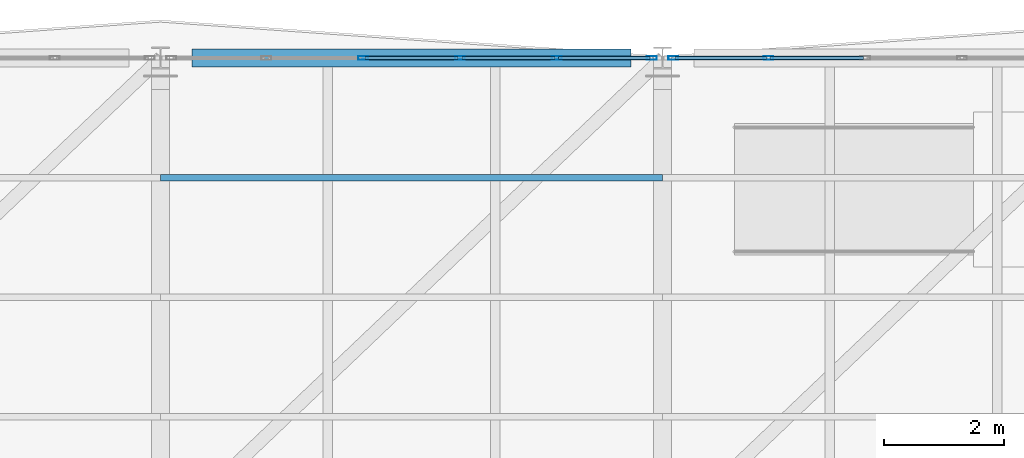
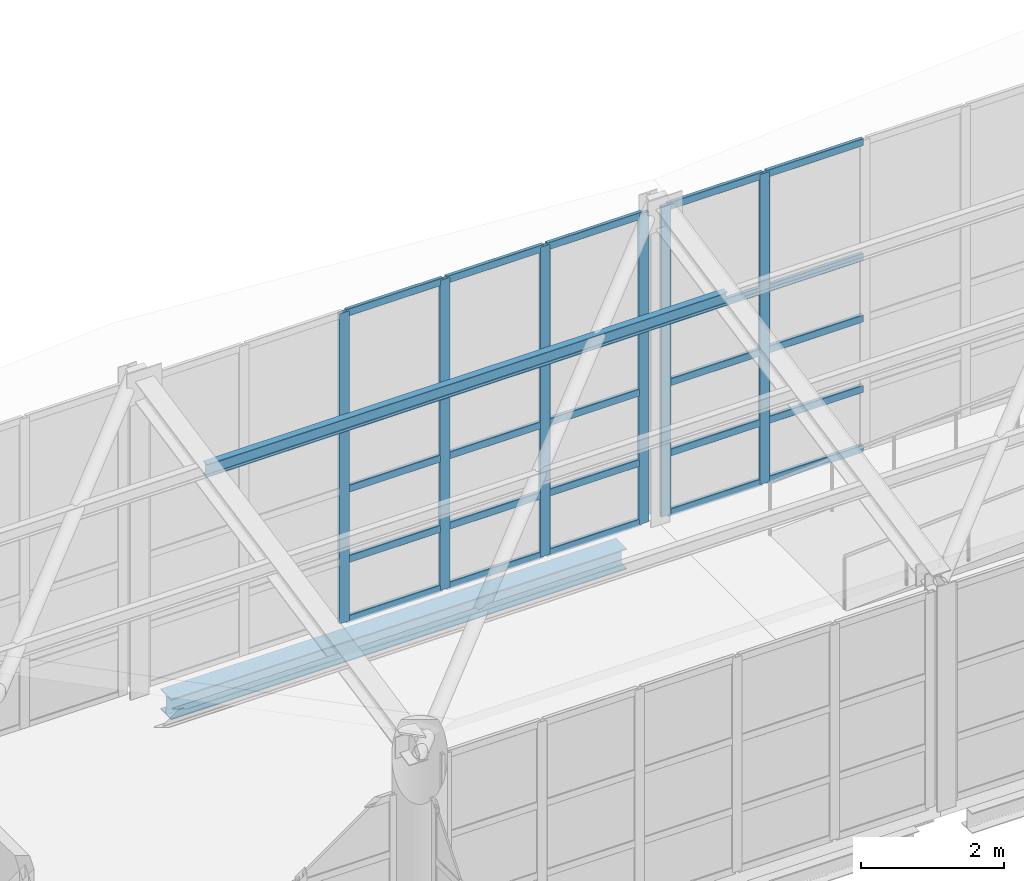
# One storey, part 108 of 177: 32 members, 1 beam, 2 elements without a shape of their own.
"""IFC4 building model written with IfcOpenShell, lengths in metres."""

from ifc_helpers import new_model, si_unit, direction, frame, origin, origin_2d, place, context, subcontext, project, spatial, hollow_rectangle, i_section, extrude, material, layer, layer_set, material_profile, profile_set, type_object, element, aggregate, save


model = new_model("IFC4")

# Units and contexts
model_context = context("Model", 3, precision=1e-05, world=origin(), true_north=direction((0.0, 1.0)))
body_context = subcontext(model_context, "Body", "Model", "MODEL_VIEW")
ifc_project = project(units=[si_unit("LENGTHUNIT", "METRE"), si_unit("AREAUNIT", "SQUARE_METRE"), si_unit("VOLUMEUNIT", "CUBIC_METRE"), si_unit("PLANEANGLEUNIT", "RADIAN"), si_unit("MASSUNIT", "GRAM", prefix="KILO"), si_unit("THERMODYNAMICTEMPERATUREUNIT", "KELVIN"), si_unit("POWERUNIT", "WATT")], contexts=[model_context])

# Site, building, storey
site_placement = place(None, origin())
site = spatial("IfcSite", under=ifc_project, at=site_placement, CompositionType="ELEMENT")
building_placement = place(site_placement, origin())
building = spatial("IfcBuilding", under=site, at=building_placement, Name="Mavoryth Pier Ferry Terminal", CompositionType="ELEMENT")
storey_placement = place(building_placement, frame((0.0, 0.0, 5.43994140625)))
storey = spatial("IfcBuildingStorey", under=building, at=storey_placement, Name="L01", CompositionType="ELEMENT", Elevation=5.43994140625)

# Curtain wall, members
ifc_material_1 = material(Name="Anodised Aluminium and Solar-Control Low-E Glass", Category="aluminium")
ifc_layer = layer(ifc_material_1, 0.139892578125, Name="Anodised Aluminium and Solar-Control Low-E Glass", Category="aluminium")
ifc_layer_set = layer_set([ifc_layer], Name="Anodised Aluminium and Solar-Control Low-E Glass - CW-Gallery-Mod1600")
curtain_wall_type = type_object("IfcCurtainWallType", Name="CW-Gallery-Mod1600", PredefinedType="USERDEFINED", material=ifc_layer_set)
curtain_wall_1_placement = place(storey_placement, origin())
curtain_wall_1 = element("IfcCurtainWall", 1, at=curtain_wall_1_placement, inside=storey, type_object=curtain_wall_type, Name="Curtain Wall CW-0122-082", ObjectType="UNITISED CURTAIN WALL", PredefinedType="USERDEFINED")
ifc_material_2 = material(Name="Anodised Aluminium EN AW-6063", Category="aluminium")
ifc_material_profile_1 = material_profile(ifc_material_2, hollow_rectangle(XDim=0.06005859375, YDim=0.1650390625, WallThickness=0.00390625, InnerFilletRadius=0.00390625, OuterFilletRadius=0.008056640625, at=origin_2d()), Name="AL-MULL 165x60x4", Category="aluminium")
ifc_profile_set_1 = profile_set([ifc_material_profile_1], Name="Anodised Aluminium EN AW-6063 - AL-MULL 165x60x4")
member_type_1 = type_object("IfcMemberType", Name="Mullion-Alum-165x60", PredefinedType="MULLION", material=ifc_profile_set_1)
member_1_placement = place(storey_placement, frame((100.6201171875, 114.0, 0.0), z_axis=(0.0, 0.0, 1.0), x_axis=(0.0, -1.0, 0.0)))
member_1 = element("IfcMember", 2, at=member_1_placement, type_object=member_type_1, Name="CW05 mullion 1", PredefinedType="MULLION", context=body_context, shape_type="SweptSolid", body=[
    extrude(hollow_rectangle(XDim=0.06005859375, YDim=0.1650390625, WallThickness=0.00390625, InnerFilletRadius=0.00390625, OuterFilletRadius=0.008056640625, at=origin_2d()), origin(), (0.0, 0.0, 1.0), 5.28759765625),
])
member_2_placement = place(storey_placement, frame((99.030029296875, 114.0, 0.0), z_axis=(0.0, 0.0, 1.0), x_axis=(0.0, -1.0, 0.0)))
member_2 = element("IfcMember", 3, at=member_2_placement, type_object=member_type_1, Name="CW05 mullion 2", PredefinedType="MULLION", context=body_context, shape_type="SweptSolid", body=[
    extrude(hollow_rectangle(XDim=0.06005859375, YDim=0.1650390625, WallThickness=0.00390625, InnerFilletRadius=0.00390625, OuterFilletRadius=0.008056640625, at=origin_2d()), origin(), (0.0, 0.0, 1.0), 5.28759765625),
])
member_3_placement = place(storey_placement, frame((97.409912109375, 114.0, 0.0), z_axis=(0.0, 0.0, 1.0), x_axis=(0.0, -1.0, 0.0)))
member_3 = element("IfcMember", 4, at=member_3_placement, type_object=member_type_1, Name="CW05 mullion 3", PredefinedType="MULLION", context=body_context, shape_type="SweptSolid", body=[
    extrude(hollow_rectangle(XDim=0.06005859375, YDim=0.1650390625, WallThickness=0.00390625, InnerFilletRadius=0.00390625, OuterFilletRadius=0.008056640625, at=origin_2d()), origin(), (0.0, 0.0, 1.0), 5.28759765625),
])
member_4_placement = place(storey_placement, frame((95.7900390625, 114.0, 0.0), z_axis=(0.0, 0.0, 1.0), x_axis=(0.0, -1.0, 0.0)))
member_4 = element("IfcMember", 5, at=member_4_placement, type_object=member_type_1, Name="CW05 mullion 4", PredefinedType="MULLION", context=body_context, shape_type="SweptSolid", body=[
    extrude(hollow_rectangle(XDim=0.06005859375, YDim=0.1650390625, WallThickness=0.00390625, InnerFilletRadius=0.00390625, OuterFilletRadius=0.008056640625, at=origin_2d()), origin(), (0.0, 0.0, 1.0), 5.28759765625),
])

curtain_wall_2_placement = place(storey_placement, origin())
curtain_wall_2 = element("IfcCurtainWall", 6, at=curtain_wall_2_placement, inside=storey, type_object=curtain_wall_type, Name="Curtain Wall CW-0122-084", ObjectType="UNITISED CURTAIN WALL", PredefinedType="USERDEFINED")
member_5_placement = place(storey_placement, frame((102.570068359375, 114.0, 0.0), z_axis=(0.0, 0.0, 1.0), x_axis=(0.0, -1.0, 0.0)))
member_5 = element("IfcMember", 7, at=member_5_placement, type_object=member_type_1, Name="CW05 mullion 5", PredefinedType="MULLION", context=body_context, shape_type="SweptSolid", body=[
    extrude(hollow_rectangle(XDim=0.06005859375, YDim=0.1650390625, WallThickness=0.00390625, InnerFilletRadius=0.00390625, OuterFilletRadius=0.008056640625, at=origin_2d()), origin(), (0.0, 0.0, 1.0), 5.28759765625),
])
member_6_placement = place(storey_placement, frame((100.97998046875, 114.0, 0.0), z_axis=(0.0, 0.0, 1.0), x_axis=(0.0, -1.0, 0.0)))
member_6 = element("IfcMember", 8, at=member_6_placement, type_object=member_type_1, Name="CW05 mullion 6", PredefinedType="MULLION", context=body_context, shape_type="SweptSolid", body=[
    extrude(hollow_rectangle(XDim=0.06005859375, YDim=0.1650390625, WallThickness=0.00390625, InnerFilletRadius=0.00390625, OuterFilletRadius=0.008056640625, at=origin_2d()), origin(), (0.0, 0.0, 1.0), 5.28759765625),
])

# Member
ifc_material_3 = material(Name="Steel S355J2", Category="steel")
ifc_material_profile_2 = material_profile(ifc_material_3, i_section(OverallWidth=0.110107421875, OverallDepth=0.219970703125, WebThickness=0.005859375, FlangeThickness=0.00927734375, FilletRadius=0.011962890625, at=origin_2d()), Name="IPE 220", Category="steel")
ifc_profile_set_2 = profile_set([ifc_material_profile_2], Name="Steel S355J2 - IPE 220")
member_type_2 = type_object("IfcMemberType", Name="Purlin-Roof-IPE220", PredefinedType="PURLIN", material=ifc_profile_set_2)
member_7_placement = place(storey_placement, frame((92.39990234375, 112.0, 4.991943359375), z_axis=(1.0, 0.0, 0.0), x_axis=(0.0, 1.0, 0.0)))
element("IfcMember", 9, at=member_7_placement, inside=storey, type_object=member_type_2, Name="Steel Member MB-L01-0272", PredefinedType="PURLIN", context=body_context, shape_type="SweptSolid", body=[
    extrude(i_section(OverallWidth=0.110107421875, OverallDepth=0.219970703125, WebThickness=0.005859375, FlangeThickness=0.00927734375, FilletRadius=0.011962890625, at=origin_2d()), origin(), (0.0, 0.0, 1.0), 8.400146484375),
])

# Beam
ifc_material_profile_3 = material_profile(ifc_material_3, i_section(OverallWidth=0.300048828125, OverallDepth=0.35009765625, WebThickness=0.010009765625, FlangeThickness=0.017578125, FilletRadius=0.027099609375, at=origin_2d()), Name="HEA 360", Category="steel")
ifc_profile_set_3 = profile_set([ifc_material_profile_3], Name="Steel S355J2 - HEA 360")
beam_type = type_object("IfcBeamType", Name="Spandrel-Steel-HEA360", PredefinedType="SPANDREL", material=ifc_profile_set_3)
beam_placement = place(storey_placement, frame((92.925048828125, 114.0, -0.4150390625), z_axis=(1.0, 0.0, 0.0), x_axis=(0.0, 1.0, 0.0)))
element("IfcBeam", 10, at=beam_placement, inside=storey, type_object=beam_type, Name="Beam B01-SP03-0271", PredefinedType="SPANDREL", context=body_context, shape_type="SweptSolid", body=[
    extrude(i_section(OverallWidth=0.300048828125, OverallDepth=0.35009765625, WebThickness=0.010009765625, FlangeThickness=0.017578125, FilletRadius=0.027099609375, at=origin_2d()), origin(), (0.0, 0.0, 1.0), 7.349853515625),
])

# Member
ifc_material_profile_4 = material_profile(ifc_material_2, hollow_rectangle(XDim=0.06005859375, YDim=0.125, WallThickness=0.00390625, InnerFilletRadius=0.00390625, OuterFilletRadius=0.008056640625, at=origin_2d()), Name="AL-TRAN 125x60x4", Category="aluminium")
ifc_profile_set_4 = profile_set([ifc_material_profile_4], Name="Anodised Aluminium EN AW-6063 - AL-TRAN 125x60x4")
member_type_3 = type_object("IfcMemberType", Name="Transom-Alum-125x60", PredefinedType="USERDEFINED", material=ifc_profile_set_4)
member_8_placement = place(storey_placement, frame((100.590087890625, 114.0, 0.030029296875), z_axis=(-1.0, 0.0, 0.0), x_axis=(0.0, -1.0, 0.0)))
member_8 = element("IfcMember", 11, at=member_8_placement, type_object=member_type_3, Name="CW05 transom 1.1", ObjectType="TRANSOM", PredefinedType="USERDEFINED", context=body_context, shape_type="SweptSolid", body=[
    extrude(hollow_rectangle(XDim=0.06005859375, YDim=0.125, WallThickness=0.00390625, InnerFilletRadius=0.00390625, OuterFilletRadius=0.008056640625, at=origin_2d()), origin(), (0.0, 0.0, 1.0), 1.530029296875),
])

member_9_placement = place(storey_placement, frame((100.590087890625, 114.0, 1.050048828125), z_axis=(-1.0, 0.0, 0.0), x_axis=(0.0, -1.0, 0.0)))
member_9 = element("IfcMember", 12, at=member_9_placement, type_object=member_type_3, Name="CW05 transom 1.2", ObjectType="TRANSOM", PredefinedType="USERDEFINED", context=body_context, shape_type="SweptSolid", body=[
    extrude(hollow_rectangle(XDim=0.06005859375, YDim=0.125, WallThickness=0.00390625, InnerFilletRadius=0.00390625, OuterFilletRadius=0.008056640625, at=origin_2d()), origin(), (0.0, 0.0, 1.0), 1.530029296875),
])

member_10_placement = place(storey_placement, frame((100.590087890625, 114.0, 2.25), z_axis=(-1.0, 0.0, 0.0), x_axis=(0.0, -1.0, 0.0)))
member_10 = element("IfcMember", 13, at=member_10_placement, type_object=member_type_3, Name="CW05 transom 1.3", ObjectType="TRANSOM", PredefinedType="USERDEFINED", context=body_context, shape_type="SweptSolid", body=[
    extrude(hollow_rectangle(XDim=0.06005859375, YDim=0.125, WallThickness=0.00390625, InnerFilletRadius=0.00390625, OuterFilletRadius=0.008056640625, at=origin_2d()), origin(), (0.0, 0.0, 1.0), 1.530029296875),
])

member_11_placement = place(storey_placement, frame((100.590087890625, 114.0, 3.300048828125), z_axis=(-1.0, 0.0, 0.0), x_axis=(0.0, -1.0, 0.0)))
member_11 = element("IfcMember", 14, at=member_11_placement, type_object=member_type_3, Name="CW05 transom 1.4", ObjectType="TRANSOM", PredefinedType="USERDEFINED", context=body_context, shape_type="SweptSolid", body=[
    extrude(hollow_rectangle(XDim=0.06005859375, YDim=0.125, WallThickness=0.00390625, InnerFilletRadius=0.00390625, OuterFilletRadius=0.008056640625, at=origin_2d()), origin(), (0.0, 0.0, 1.0), 1.530029296875),
])

member_12_placement = place(storey_placement, frame((100.590087890625, 114.0, 5.257568359375), z_axis=(-1.0, 0.0, 0.0), x_axis=(0.0, -1.0, 0.0)))
member_12 = element("IfcMember", 15, at=member_12_placement, type_object=member_type_3, Name="CW05 transom 1.5", ObjectType="TRANSOM", PredefinedType="USERDEFINED", context=body_context, shape_type="SweptSolid", body=[
    extrude(hollow_rectangle(XDim=0.06005859375, YDim=0.125, WallThickness=0.00390625, InnerFilletRadius=0.00390625, OuterFilletRadius=0.008056640625, at=origin_2d()), origin(), (0.0, 0.0, 1.0), 1.530029296875),
])

member_13_placement = place(storey_placement, frame((99.0, 114.0, 0.030029296875), z_axis=(-1.0, 0.0, 0.0), x_axis=(0.0, -1.0, 0.0)))
member_13 = element("IfcMember", 16, at=member_13_placement, type_object=member_type_3, Name="CW05 transom 2.1", ObjectType="TRANSOM", PredefinedType="USERDEFINED", context=body_context, shape_type="SweptSolid", body=[
    extrude(hollow_rectangle(XDim=0.06005859375, YDim=0.125, WallThickness=0.00390625, InnerFilletRadius=0.00390625, OuterFilletRadius=0.008056640625, at=origin_2d()), origin(), (0.0, 0.0, 1.0), 1.56005859375),
])

member_14_placement = place(storey_placement, frame((99.0, 114.0, 1.050048828125), z_axis=(-1.0, 0.0, 0.0), x_axis=(0.0, -1.0, 0.0)))
member_14 = element("IfcMember", 17, at=member_14_placement, type_object=member_type_3, Name="CW05 transom 2.2", ObjectType="TRANSOM", PredefinedType="USERDEFINED", context=body_context, shape_type="SweptSolid", body=[
    extrude(hollow_rectangle(XDim=0.06005859375, YDim=0.125, WallThickness=0.00390625, InnerFilletRadius=0.00390625, OuterFilletRadius=0.008056640625, at=origin_2d()), origin(), (0.0, 0.0, 1.0), 1.56005859375),
])

member_15_placement = place(storey_placement, frame((99.0, 114.0, 2.25), z_axis=(-1.0, 0.0, 0.0), x_axis=(0.0, -1.0, 0.0)))
member_15 = element("IfcMember", 18, at=member_15_placement, type_object=member_type_3, Name="CW05 transom 2.3", ObjectType="TRANSOM", PredefinedType="USERDEFINED", context=body_context, shape_type="SweptSolid", body=[
    extrude(hollow_rectangle(XDim=0.06005859375, YDim=0.125, WallThickness=0.00390625, InnerFilletRadius=0.00390625, OuterFilletRadius=0.008056640625, at=origin_2d()), origin(), (0.0, 0.0, 1.0), 1.56005859375),
])

member_16_placement = place(storey_placement, frame((99.0, 114.0, 3.300048828125), z_axis=(-1.0, 0.0, 0.0), x_axis=(0.0, -1.0, 0.0)))
member_16 = element("IfcMember", 19, at=member_16_placement, type_object=member_type_3, Name="CW05 transom 2.4", ObjectType="TRANSOM", PredefinedType="USERDEFINED", context=body_context, shape_type="SweptSolid", body=[
    extrude(hollow_rectangle(XDim=0.06005859375, YDim=0.125, WallThickness=0.00390625, InnerFilletRadius=0.00390625, OuterFilletRadius=0.008056640625, at=origin_2d()), origin(), (0.0, 0.0, 1.0), 1.56005859375),
])

member_17_placement = place(storey_placement, frame((99.0, 114.0, 5.257568359375), z_axis=(-1.0, 0.0, 0.0), x_axis=(0.0, -1.0, 0.0)))
member_17 = element("IfcMember", 20, at=member_17_placement, type_object=member_type_3, Name="CW05 transom 2.5", ObjectType="TRANSOM", PredefinedType="USERDEFINED", context=body_context, shape_type="SweptSolid", body=[
    extrude(hollow_rectangle(XDim=0.06005859375, YDim=0.125, WallThickness=0.00390625, InnerFilletRadius=0.00390625, OuterFilletRadius=0.008056640625, at=origin_2d()), origin(), (0.0, 0.0, 1.0), 1.56005859375),
])

member_18_placement = place(storey_placement, frame((97.3798828125, 114.0, 0.030029296875), z_axis=(-1.0, 0.0, 0.0), x_axis=(0.0, -1.0, 0.0)))
member_18 = element("IfcMember", 21, at=member_18_placement, type_object=member_type_3, Name="CW05 transom 3.1", ObjectType="TRANSOM", PredefinedType="USERDEFINED", context=body_context, shape_type="SweptSolid", body=[
    extrude(hollow_rectangle(XDim=0.06005859375, YDim=0.125, WallThickness=0.00390625, InnerFilletRadius=0.00390625, OuterFilletRadius=0.008056640625, at=origin_2d()), origin(), (0.0, 0.0, 1.0), 1.559814453125),
])

member_19_placement = place(storey_placement, frame((97.3798828125, 114.0, 1.050048828125), z_axis=(-1.0, 0.0, 0.0), x_axis=(0.0, -1.0, 0.0)))
member_19 = element("IfcMember", 22, at=member_19_placement, type_object=member_type_3, Name="CW05 transom 3.2", ObjectType="TRANSOM", PredefinedType="USERDEFINED", context=body_context, shape_type="SweptSolid", body=[
    extrude(hollow_rectangle(XDim=0.06005859375, YDim=0.125, WallThickness=0.00390625, InnerFilletRadius=0.00390625, OuterFilletRadius=0.008056640625, at=origin_2d()), origin(), (0.0, 0.0, 1.0), 1.559814453125),
])

member_20_placement = place(storey_placement, frame((97.3798828125, 114.0, 2.25), z_axis=(-1.0, 0.0, 0.0), x_axis=(0.0, -1.0, 0.0)))
member_20 = element("IfcMember", 23, at=member_20_placement, type_object=member_type_3, Name="CW05 transom 3.3", ObjectType="TRANSOM", PredefinedType="USERDEFINED", context=body_context, shape_type="SweptSolid", body=[
    extrude(hollow_rectangle(XDim=0.06005859375, YDim=0.125, WallThickness=0.00390625, InnerFilletRadius=0.00390625, OuterFilletRadius=0.008056640625, at=origin_2d()), origin(), (0.0, 0.0, 1.0), 1.559814453125),
])

member_21_placement = place(storey_placement, frame((97.3798828125, 114.0, 3.300048828125), z_axis=(-1.0, 0.0, 0.0), x_axis=(0.0, -1.0, 0.0)))
member_21 = element("IfcMember", 24, at=member_21_placement, type_object=member_type_3, Name="CW05 transom 3.4", ObjectType="TRANSOM", PredefinedType="USERDEFINED", context=body_context, shape_type="SweptSolid", body=[
    extrude(hollow_rectangle(XDim=0.06005859375, YDim=0.125, WallThickness=0.00390625, InnerFilletRadius=0.00390625, OuterFilletRadius=0.008056640625, at=origin_2d()), origin(), (0.0, 0.0, 1.0), 1.559814453125),
])

member_22_placement = place(storey_placement, frame((97.3798828125, 114.0, 5.257568359375), z_axis=(-1.0, 0.0, 0.0), x_axis=(0.0, -1.0, 0.0)))
member_22 = element("IfcMember", 25, at=member_22_placement, type_object=member_type_3, Name="CW05 transom 3.5", ObjectType="TRANSOM", PredefinedType="USERDEFINED", context=body_context, shape_type="SweptSolid", body=[
    extrude(hollow_rectangle(XDim=0.06005859375, YDim=0.125, WallThickness=0.00390625, InnerFilletRadius=0.00390625, OuterFilletRadius=0.008056640625, at=origin_2d()), origin(), (0.0, 0.0, 1.0), 1.559814453125),
])

aggregate(curtain_wall_1, [member_1, member_2, member_3, member_4, member_8, member_9, member_10, member_11, member_12, member_13, member_14, member_15, member_16, member_17, member_18, member_19, member_20, member_21, member_22])

member_23_placement = place(storey_placement, frame((104.159912109375, 114.0, 0.030029296875), z_axis=(-1.0, 0.0, 0.0), x_axis=(0.0, -1.0, 0.0)))
member_23 = element("IfcMember", 26, at=member_23_placement, type_object=member_type_3, Name="CW05 transom 4.1", ObjectType="TRANSOM", PredefinedType="USERDEFINED", context=body_context, shape_type="SweptSolid", body=[
    extrude(hollow_rectangle(XDim=0.06005859375, YDim=0.125, WallThickness=0.00390625, InnerFilletRadius=0.00390625, OuterFilletRadius=0.008056640625, at=origin_2d()), origin(), (0.0, 0.0, 1.0), 1.559814453125),
])

member_24_placement = place(storey_placement, frame((104.159912109375, 114.0, 1.050048828125), z_axis=(-1.0, 0.0, 0.0), x_axis=(0.0, -1.0, 0.0)))
member_24 = element("IfcMember", 27, at=member_24_placement, type_object=member_type_3, Name="CW05 transom 4.2", ObjectType="TRANSOM", PredefinedType="USERDEFINED", context=body_context, shape_type="SweptSolid", body=[
    extrude(hollow_rectangle(XDim=0.06005859375, YDim=0.125, WallThickness=0.00390625, InnerFilletRadius=0.00390625, OuterFilletRadius=0.008056640625, at=origin_2d()), origin(), (0.0, 0.0, 1.0), 1.559814453125),
])

member_25_placement = place(storey_placement, frame((104.159912109375, 114.0, 2.25), z_axis=(-1.0, 0.0, 0.0), x_axis=(0.0, -1.0, 0.0)))
member_25 = element("IfcMember", 28, at=member_25_placement, type_object=member_type_3, Name="CW05 transom 4.3", ObjectType="TRANSOM", PredefinedType="USERDEFINED", context=body_context, shape_type="SweptSolid", body=[
    extrude(hollow_rectangle(XDim=0.06005859375, YDim=0.125, WallThickness=0.00390625, InnerFilletRadius=0.00390625, OuterFilletRadius=0.008056640625, at=origin_2d()), origin(), (0.0, 0.0, 1.0), 1.559814453125),
])

member_26_placement = place(storey_placement, frame((104.159912109375, 114.0, 3.300048828125), z_axis=(-1.0, 0.0, 0.0), x_axis=(0.0, -1.0, 0.0)))
member_26 = element("IfcMember", 29, at=member_26_placement, type_object=member_type_3, Name="CW05 transom 4.4", ObjectType="TRANSOM", PredefinedType="USERDEFINED", context=body_context, shape_type="SweptSolid", body=[
    extrude(hollow_rectangle(XDim=0.06005859375, YDim=0.125, WallThickness=0.00390625, InnerFilletRadius=0.00390625, OuterFilletRadius=0.008056640625, at=origin_2d()), origin(), (0.0, 0.0, 1.0), 1.559814453125),
])

member_27_placement = place(storey_placement, frame((104.159912109375, 114.0, 5.257568359375), z_axis=(-1.0, 0.0, 0.0), x_axis=(0.0, -1.0, 0.0)))
member_27 = element("IfcMember", 30, at=member_27_placement, type_object=member_type_3, Name="CW05 transom 4.5", ObjectType="TRANSOM", PredefinedType="USERDEFINED", context=body_context, shape_type="SweptSolid", body=[
    extrude(hollow_rectangle(XDim=0.06005859375, YDim=0.125, WallThickness=0.00390625, InnerFilletRadius=0.00390625, OuterFilletRadius=0.008056640625, at=origin_2d()), origin(), (0.0, 0.0, 1.0), 1.559814453125),
])

member_28_placement = place(storey_placement, frame((102.5400390625, 114.0, 0.030029296875), z_axis=(-1.0, 0.0, 0.0), x_axis=(0.0, -1.0, 0.0)))
member_28 = element("IfcMember", 31, at=member_28_placement, type_object=member_type_3, Name="CW05 transom 5.1", ObjectType="TRANSOM", PredefinedType="USERDEFINED", context=body_context, shape_type="SweptSolid", body=[
    extrude(hollow_rectangle(XDim=0.06005859375, YDim=0.125, WallThickness=0.00390625, InnerFilletRadius=0.00390625, OuterFilletRadius=0.008056640625, at=origin_2d()), origin(), (0.0, 0.0, 1.0), 1.530029296875),
])

member_29_placement = place(storey_placement, frame((102.5400390625, 114.0, 1.050048828125), z_axis=(-1.0, 0.0, 0.0), x_axis=(0.0, -1.0, 0.0)))
member_29 = element("IfcMember", 32, at=member_29_placement, type_object=member_type_3, Name="CW05 transom 5.2", ObjectType="TRANSOM", PredefinedType="USERDEFINED", context=body_context, shape_type="SweptSolid", body=[
    extrude(hollow_rectangle(XDim=0.06005859375, YDim=0.125, WallThickness=0.00390625, InnerFilletRadius=0.00390625, OuterFilletRadius=0.008056640625, at=origin_2d()), origin(), (0.0, 0.0, 1.0), 1.530029296875),
])

member_30_placement = place(storey_placement, frame((102.5400390625, 114.0, 2.25), z_axis=(-1.0, 0.0, 0.0), x_axis=(0.0, -1.0, 0.0)))
member_30 = element("IfcMember", 33, at=member_30_placement, type_object=member_type_3, Name="CW05 transom 5.3", ObjectType="TRANSOM", PredefinedType="USERDEFINED", context=body_context, shape_type="SweptSolid", body=[
    extrude(hollow_rectangle(XDim=0.06005859375, YDim=0.125, WallThickness=0.00390625, InnerFilletRadius=0.00390625, OuterFilletRadius=0.008056640625, at=origin_2d()), origin(), (0.0, 0.0, 1.0), 1.530029296875),
])

member_31_placement = place(storey_placement, frame((102.5400390625, 114.0, 3.300048828125), z_axis=(-1.0, 0.0, 0.0), x_axis=(0.0, -1.0, 0.0)))
member_31 = element("IfcMember", 34, at=member_31_placement, type_object=member_type_3, Name="CW05 transom 5.4", ObjectType="TRANSOM", PredefinedType="USERDEFINED", context=body_context, shape_type="SweptSolid", body=[
    extrude(hollow_rectangle(XDim=0.06005859375, YDim=0.125, WallThickness=0.00390625, InnerFilletRadius=0.00390625, OuterFilletRadius=0.008056640625, at=origin_2d()), origin(), (0.0, 0.0, 1.0), 1.530029296875),
])

member_32_placement = place(storey_placement, frame((102.5400390625, 114.0, 5.257568359375), z_axis=(-1.0, 0.0, 0.0), x_axis=(0.0, -1.0, 0.0)))
member_32 = element("IfcMember", 35, at=member_32_placement, type_object=member_type_3, Name="CW05 transom 5.5", ObjectType="TRANSOM", PredefinedType="USERDEFINED", context=body_context, shape_type="SweptSolid", body=[
    extrude(hollow_rectangle(XDim=0.06005859375, YDim=0.125, WallThickness=0.00390625, InnerFilletRadius=0.00390625, OuterFilletRadius=0.008056640625, at=origin_2d()), origin(), (0.0, 0.0, 1.0), 1.530029296875),
])

aggregate(curtain_wall_2, [member_5, member_6, member_23, member_24, member_25, member_26, member_27, member_28, member_29, member_30, member_31, member_32])

save(model, "model.ifc")
